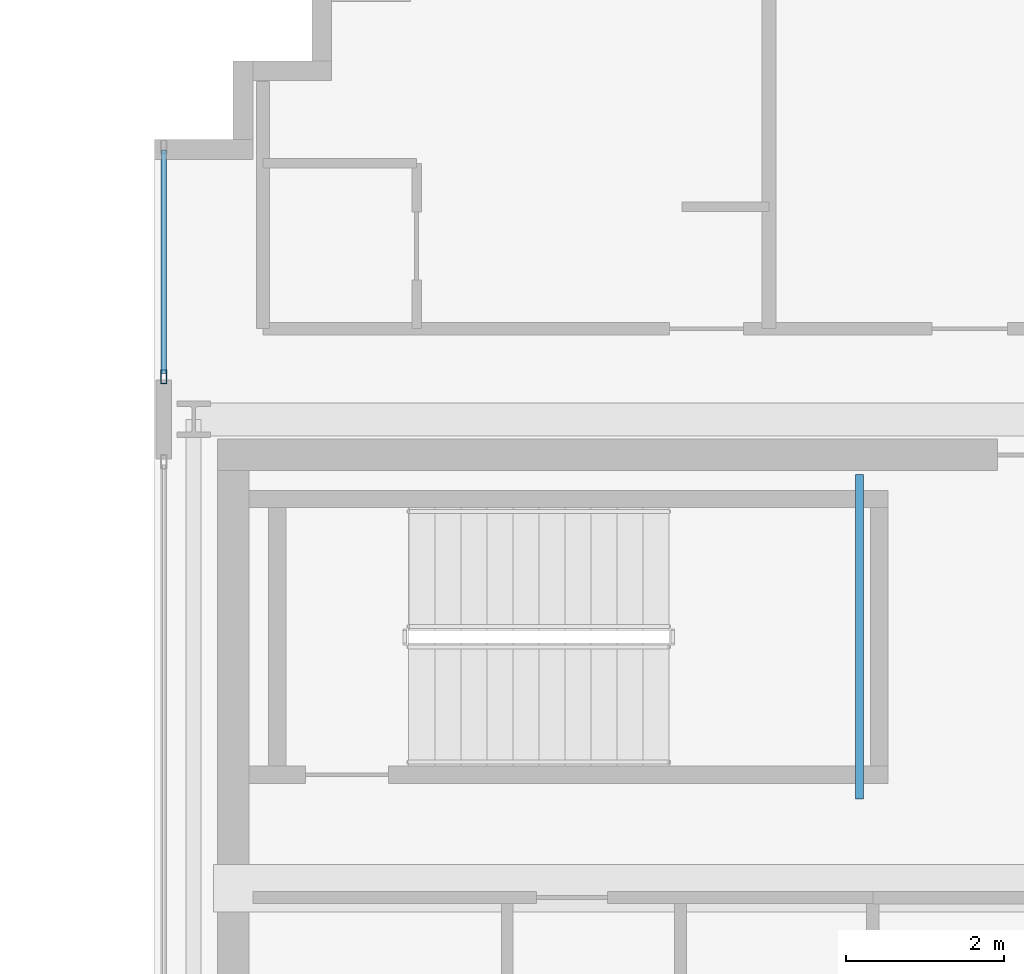
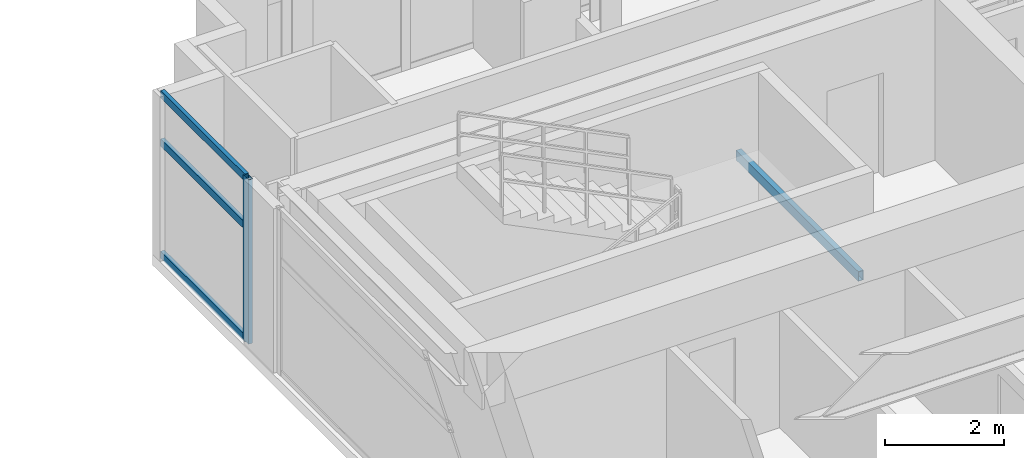
# One storey, part 13 of 25: 4 members, 1 beam, 1 element without a shape of its own.
"""IFC4 building model written with IfcOpenShell, lengths in metres."""

from ifc_helpers import new_model, si_unit, direction, frame, origin, origin_2d, place, context, subcontext, project, spatial, hollow_rectangle, extrude, source, transform, mapped, material, layer, layer_set, material_profile, profile_set, type_object, element, aggregate, save


model = new_model("IFC4")

# Units and contexts
model_context = context("Model", 3, precision=1e-05, world=origin(), true_north=direction((0.0, 1.0)))
body_context = subcontext(model_context, "Body", "Model", "MODEL_VIEW")
ifc_project = project(units=[si_unit("LENGTHUNIT", "METRE"), si_unit("AREAUNIT", "SQUARE_METRE"), si_unit("VOLUMEUNIT", "CUBIC_METRE"), si_unit("PLANEANGLEUNIT", "RADIAN"), si_unit("MASSUNIT", "GRAM", prefix="KILO")], contexts=[model_context])

# Site, building, storey
site_placement = place(None, origin())
site = spatial("IfcSite", under=ifc_project, at=site_placement, CompositionType="ELEMENT")
building_placement = place(site_placement, origin())
building = spatial("IfcBuilding", under=site, at=building_placement, Name="Ocotamira Hotel", CompositionType="ELEMENT")
storey_placement = place(building_placement, frame((0.0, 0.0, 258.0)))
storey = spatial("IfcBuildingStorey", under=building, at=storey_placement, Name="L65", CompositionType="ELEMENT", Elevation=258.0)

# Beam
ifc_material_1 = material(Name="Steel ASTM A500 Grade C", Category="steel")
ifc_material_profile_1 = material_profile(ifc_material_1, hollow_rectangle(XDim=0.10009765625, YDim=0.199951171875, WallThickness=0.008056640625, at=origin_2d()), Name="HSS200X100X8")
ifc_profile_set_1 = profile_set([ifc_material_profile_1], Name="Steel ASTM A500 Grade C")
beam_type = type_object("IfcBeamType", Name="BM-STLDG-HSS200", PredefinedType="BEAM", material=ifc_profile_set_1)
shared_shape_1 = source(origin(), body_context, "Body", "SweptSolid", [
    extrude(hollow_rectangle(XDim=0.10009765625, YDim=0.199951171875, WallThickness=0.008056640625, at=origin_2d()), origin(), (0.0, 0.0, 1.0), 4.1201171875),
])
beam_placement = place(storey_placement, frame((48.949951171875, 32.6298828125, 1.5), z_axis=(0.0, 1.0, 0.0), x_axis=(-1.0, 0.0, 0.0)))
element("IfcBeam", 1, at=beam_placement, inside=storey, type_object=beam_type, Name="L65 Stair ST-4 Landing Bearer 1", PredefinedType="BEAM", context=body_context, shape_type="MappedRepresentation", body=[
    mapped(shared_shape_1, transform((0.0, 0.0, 0.0), scale=1.0)),
])

# Curtain wall, members
ifc_material_2 = material(Name="Anodised pale-metal aluminium and solar glass", Category="aluminium")
ifc_layer = layer(ifc_material_2, 0.2099609375)
ifc_layer_set = layer_set([ifc_layer], Name="Anodised pale-metal aluminium and solar glass")
curtain_wall_type = type_object("IfcCurtainWallType", Name="CW-SYS7-PEAK", PredefinedType="NOTDEFINED", material=ifc_layer_set)
curtain_wall_placement = place(storey_placement, origin())
curtain_wall = element("IfcCurtainWall", 2, at=curtain_wall_placement, inside=storey, type_object=curtain_wall_type, Name="L65 Curtain Wall CW-7 CW-L65-EI4", PredefinedType="NOTDEFINED")
ifc_material_3 = material(Name="Anodised pale-metal aluminium 6063-T6", Category="aluminium")
ifc_material_profile_2 = material_profile(ifc_material_3, hollow_rectangle(XDim=0.080078125, YDim=0.179931640625, WallThickness=0.006103515625, at=origin_2d()), Name="HSS180X80X6")
ifc_profile_set_2 = profile_set([ifc_material_profile_2], Name="Anodised pale-metal aluminium 6063-T6")
member_type_1 = type_object("IfcMemberType", Name="CWM-180X75", PredefinedType="MULLION", material=ifc_profile_set_2)
shared_shape_2 = source(origin(), body_context, "Body", "SweptSolid", [
    extrude(hollow_rectangle(XDim=0.080078125, YDim=0.179931640625, WallThickness=0.006103515625, at=origin_2d()), origin(), (0.0, 0.0, 1.0), 3.3798828125),
])
member_1_placement = place(storey_placement, frame((40.1201171875, 37.989990234375, 0.0), z_axis=(0.0, 0.0, 1.0), x_axis=(-1.0, 0.0, 0.0)))
member_1 = element("IfcMember", 3, at=member_1_placement, type_object=member_type_1, Name="CW-7 mullion 1", PredefinedType="MULLION", context=body_context, shape_type="MappedRepresentation", body=[
    mapped(shared_shape_2, transform((0.0, 0.0, 0.0), scale=1.0)),
])
ifc_material_profile_3 = material_profile(ifc_material_3, hollow_rectangle(XDim=0.074951171875, YDim=0.14990234375, WallThickness=0.006103515625, at=origin_2d()), Name="HSS150X75X6")
ifc_profile_set_3 = profile_set([ifc_material_profile_3], Name="Anodised pale-metal aluminium 6063-T6")
member_type_2 = type_object("IfcMemberType", Name="CWT-150X75", PredefinedType="USERDEFINED", material=ifc_profile_set_3)
shared_shape_3 = source(origin(), body_context, "Body", "SweptSolid", [
    extrude(hollow_rectangle(XDim=0.074951171875, YDim=0.14990234375, WallThickness=0.006103515625, at=origin_2d()), origin(), (0.0, 0.0, 1.0), 2.840087890625),
])
member_2_placement = place(storey_placement, frame((40.1201171875, 38.030029296875, 0.03759765625), z_axis=(0.0, 1.0, 0.0), x_axis=(-1.0, 0.0, 0.0)))
member_2 = element("IfcMember", 4, at=member_2_placement, type_object=member_type_2, Name="CW-7 transom 1.1", ObjectType="TRANSOM", PredefinedType="USERDEFINED", context=body_context, shape_type="MappedRepresentation", body=[
    mapped(shared_shape_3, transform((0.0, 0.0, 0.0), scale=1.0)),
])
member_3_placement = place(storey_placement, frame((40.1201171875, 38.030029296875, 2.35009765625), z_axis=(0.0, 1.0, 0.0), x_axis=(-1.0, 0.0, 0.0)))
member_3 = element("IfcMember", 5, at=member_3_placement, type_object=member_type_2, Name="CW-7 transom 1.2", ObjectType="TRANSOM", PredefinedType="USERDEFINED", context=body_context, shape_type="MappedRepresentation", body=[
    mapped(shared_shape_3, transform((0.0, 0.0, 0.0), scale=1.0)),
])
member_4_placement = place(storey_placement, frame((40.1201171875, 38.030029296875, 3.342529296875), z_axis=(0.0, 1.0, 0.0), x_axis=(-1.0, 0.0, 0.0)))
member_4 = element("IfcMember", 6, at=member_4_placement, type_object=member_type_2, Name="CW-7 transom 1.3", ObjectType="TRANSOM", PredefinedType="USERDEFINED", context=body_context, shape_type="MappedRepresentation", body=[
    mapped(shared_shape_3, transform((0.0, 0.0, 0.0), scale=1.0)),
])
aggregate(curtain_wall, [member_1, member_2, member_3, member_4])

save(model, "model.ifc")
